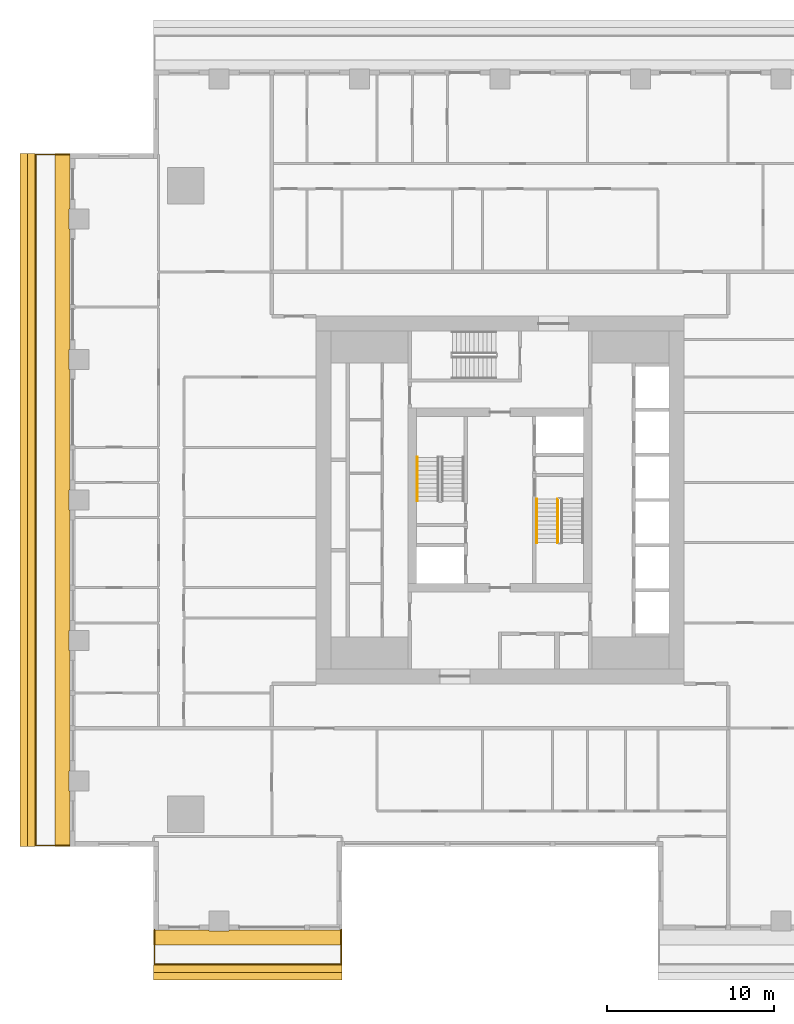
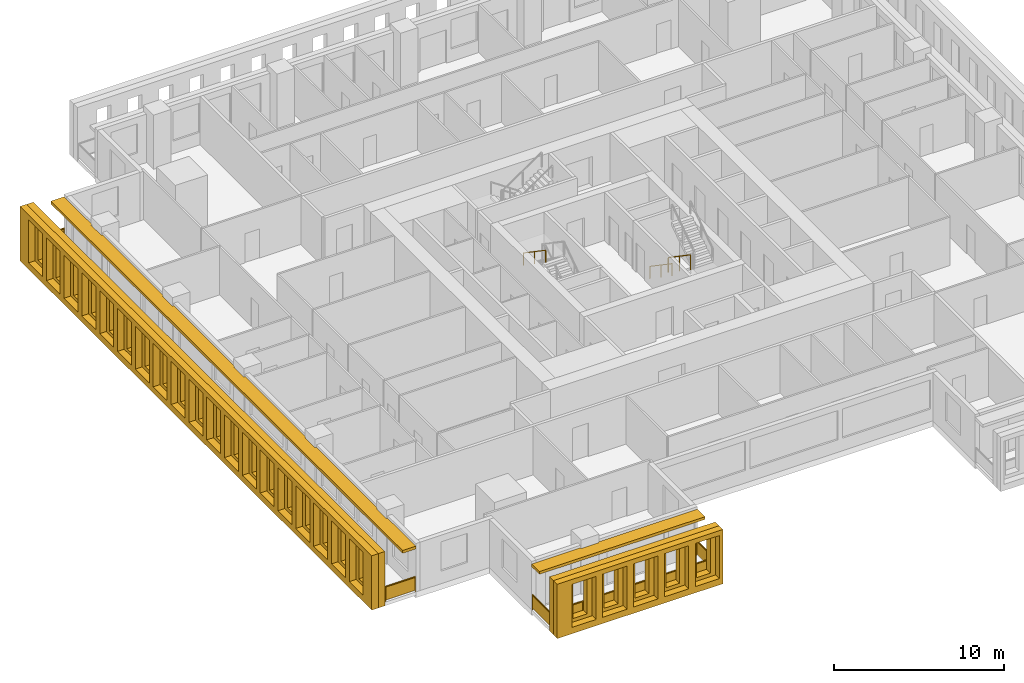
# One storey, part 10 of 14: 6 shading devices, 5 railings.
"""IFC4 building model written with IfcOpenShell, lengths in metres."""

from ifc_helpers import new_model, si_unit, direction, frame, origin, origin_2d, place, context, subcontext, project, spatial, polyline, rectangle, outline, extrude, material, layer, layer_set, type_object, element, save


model = new_model("IFC4")

# Units and contexts
model_context = context("Model", 3, precision=1e-05, world=origin(), true_north=direction((0.0, 1.0)))
body_context = subcontext(model_context, "Body", "Model", "MODEL_VIEW")
ifc_project = project(units=[si_unit("LENGTHUNIT", "METRE"), si_unit("AREAUNIT", "SQUARE_METRE"), si_unit("VOLUMEUNIT", "CUBIC_METRE"), si_unit("PLANEANGLEUNIT", "RADIAN"), si_unit("MASSUNIT", "GRAM", prefix="KILO")], contexts=[model_context])

# Site, building, storey
site_placement = place(None, origin())
site = spatial("IfcSite", under=ifc_project, at=site_placement, CompositionType="ELEMENT")
building_placement = place(site_placement, origin())
building = spatial("IfcBuilding", under=site, at=building_placement, Name="Khepri Terraces", CompositionType="ELEMENT")
storey_placement = place(building_placement, frame((0.0, 0.0, 267.89990234375)))
storey = spatial("IfcBuildingStorey", under=building, at=storey_placement, Name="L64", CompositionType="ELEMENT", Elevation=267.89990234375)

# Railings
ifc_material_1 = material(Name="Stainless steel grade 316", Category="steel")
railing_type_1 = type_object("IfcRailingType", Name="GRD-BAL-1100", PredefinedType="GUARDRAIL", material=ifc_material_1)
railing_1_placement = place(storey_placement, frame((-20.669921875, -25.719970703125, 0.0)))
element("IfcRailing", 1, at=railing_1_placement, inside=storey, type_object=railing_type_1, Name="Balcony guard L64 S", PredefinedType="GUARDRAIL", context=body_context, shape_type="SweptSolid", body=[
    extrude(rectangle(XDim=0.050048828125, YDim=0.06005859375, at=origin_2d()), frame((0.0, 0.0, 1.070068359375), z_axis=(0.0, -1.0, 0.0), x_axis=(1.0, 0.0, 0.0)), (0.0, 0.0, 1.0), 2.050048828125),
    extrude(rectangle(XDim=2.0, YDim=0.011962890625, at=origin_2d()), frame((0.0, -1.02490234375, 0.10009765625), z_axis=(0.0, 0.0, 1.0), x_axis=(0.0, -1.0, 0.0)), (0.0, 0.0, 1.0), 0.93994140625),
    extrude(rectangle(XDim=0.050048828125, YDim=0.06005859375, at=origin_2d()), frame((0.0, -2.050048828125, 1.070068359375), z_axis=(1.0, 0.0, 0.0), x_axis=(0.0, 1.0, 0.0)), (0.0, 0.0, 1.0), 11.169921875),
    extrude(rectangle(XDim=2.183837890625, YDim=0.011962890625, at=origin_2d()), frame((1.116943359375, -2.050048828125, 0.10009765625), z_axis=(0.0, 0.0, 1.0), x_axis=(1.0, 0.0, 0.0)), (0.0, 0.0, 1.0), 0.93994140625),
    extrude(rectangle(XDim=2.183837890625, YDim=0.011962890625, at=origin_2d()), frame((3.35107421875, -2.050048828125, 0.10009765625), z_axis=(0.0, 0.0, 1.0), x_axis=(1.0, 0.0, 0.0)), (0.0, 0.0, 1.0), 0.93994140625),
    extrude(rectangle(XDim=2.183837890625, YDim=0.011962890625, at=origin_2d()), frame((5.5849609375, -2.050048828125, 0.10009765625), z_axis=(0.0, 0.0, 1.0), x_axis=(1.0, 0.0, 0.0)), (0.0, 0.0, 1.0), 0.93994140625),
    extrude(rectangle(XDim=2.183837890625, YDim=0.011962890625, at=origin_2d()), frame((7.81884765625, -2.050048828125, 0.10009765625), z_axis=(0.0, 0.0, 1.0), x_axis=(1.0, 0.0, 0.0)), (0.0, 0.0, 1.0), 0.93994140625),
    extrude(rectangle(XDim=2.183837890625, YDim=0.011962890625, at=origin_2d()), frame((10.052978515625, -2.050048828125, 0.10009765625), z_axis=(0.0, 0.0, 1.0), x_axis=(1.0, 0.0, 0.0)), (0.0, 0.0, 1.0), 0.93994140625),
    extrude(rectangle(XDim=0.050048828125, YDim=0.06005859375, at=origin_2d()), frame((11.169921875, -2.050048828125, 1.070068359375), z_axis=(0.0, 1.0, 0.0), x_axis=(-1.0, 0.0, 0.0)), (0.0, 0.0, 1.0), 2.050048828125),
    extrude(rectangle(XDim=2.0, YDim=0.011962890625, at=origin_2d()), frame((11.169921875, -1.02490234375, 0.10009765625), z_axis=(0.0, 0.0, 1.0), x_axis=(0.0, 1.0, 0.0)), (0.0, 0.0, 1.0), 0.93994140625),
    extrude(rectangle(XDim=0.050048828125, YDim=0.050048828125, at=origin_2d()), origin(), (0.0, 0.0, 1.0), 1.0400390625),
    extrude(rectangle(XDim=0.050048828125, YDim=0.050048828125, at=origin_2d()), frame((0.0, -2.050048828125, 0.0)), (0.0, 0.0, 1.0), 1.0400390625),
    extrude(rectangle(XDim=0.050048828125, YDim=0.050048828125, at=origin_2d()), frame((2.23388671875, -2.050048828125, 0.0)), (0.0, 0.0, 1.0), 1.0400390625),
    extrude(rectangle(XDim=0.050048828125, YDim=0.050048828125, at=origin_2d()), frame((4.468017578125, -2.050048828125, 0.0)), (0.0, 0.0, 1.0), 1.0400390625),
    extrude(rectangle(XDim=0.050048828125, YDim=0.050048828125, at=origin_2d()), frame((6.701904296875, -2.050048828125, 0.0)), (0.0, 0.0, 1.0), 1.0400390625),
    extrude(rectangle(XDim=0.050048828125, YDim=0.050048828125, at=origin_2d()), frame((8.93603515625, -2.050048828125, 0.0)), (0.0, 0.0, 1.0), 1.0400390625),
    extrude(rectangle(XDim=0.050048828125, YDim=0.050048828125, at=origin_2d()), frame((11.169921875, -2.050048828125, 0.0)), (0.0, 0.0, 1.0), 1.0400390625),
    extrude(rectangle(XDim=0.050048828125, YDim=0.050048828125, at=origin_2d()), frame((11.169921875, 0.0, 0.0)), (0.0, 0.0, 1.0), 1.0400390625),
])
railing_2_placement = place(storey_placement, frame((-25.719970703125, 20.669921875, 0.0)))
element("IfcRailing", 2, at=railing_2_placement, inside=storey, type_object=railing_type_1, Name="Balcony guard L64 W", PredefinedType="GUARDRAIL", context=body_context, shape_type="SweptSolid", body=[
    extrude(rectangle(XDim=0.050048828125, YDim=0.06005859375, at=origin_2d()), frame((0.0, 0.0, 1.070068359375), z_axis=(-1.0, 0.0, 0.0), x_axis=(0.0, -1.0, 0.0)), (0.0, 0.0, 1.0), 2.050048828125),
    extrude(rectangle(XDim=2.0, YDim=0.011962890625, at=origin_2d()), frame((-1.02490234375, 0.0, 0.10009765625), z_axis=(0.0, 0.0, 1.0), x_axis=(-1.0, 0.0, 0.0)), (0.0, 0.0, 1.0), 0.93994140625),
    extrude(rectangle(XDim=0.050048828125, YDim=0.06005859375, at=origin_2d()), frame((-2.050048828125, 0.0, 1.070068359375), z_axis=(0.0, -1.0, 0.0), x_axis=(1.0, 0.0, 0.0)), (0.0, 0.0, 1.0), 41.33984375),
    extrude(rectangle(XDim=2.24658203125, YDim=0.011962890625, at=origin_2d()), frame((-2.050048828125, -1.1484375, 0.10009765625), z_axis=(0.0, 0.0, 1.0), x_axis=(0.0, -1.0, 0.0)), (0.0, 0.0, 1.0), 0.93994140625),
    extrude(rectangle(XDim=2.24658203125, YDim=0.011962890625, at=origin_2d()), frame((-2.050048828125, -3.445068359375, 0.10009765625), z_axis=(0.0, 0.0, 1.0), x_axis=(0.0, -1.0, 0.0)), (0.0, 0.0, 1.0), 0.93994140625),
    extrude(rectangle(XDim=2.24658203125, YDim=0.011962890625, at=origin_2d()), frame((-2.050048828125, -5.74169921875, 0.10009765625), z_axis=(0.0, 0.0, 1.0), x_axis=(0.0, -1.0, 0.0)), (0.0, 0.0, 1.0), 0.93994140625),
    extrude(rectangle(XDim=2.24658203125, YDim=0.011962890625, at=origin_2d()), frame((-2.050048828125, -8.038330078125, 0.10009765625), z_axis=(0.0, 0.0, 1.0), x_axis=(0.0, -1.0, 0.0)), (0.0, 0.0, 1.0), 0.93994140625),
    extrude(rectangle(XDim=2.24658203125, YDim=0.011962890625, at=origin_2d()), frame((-2.050048828125, -10.3349609375, 0.10009765625), z_axis=(0.0, 0.0, 1.0), x_axis=(0.0, -1.0, 0.0)), (0.0, 0.0, 1.0), 0.93994140625),
    extrude(rectangle(XDim=2.24658203125, YDim=0.011962890625, at=origin_2d()), frame((-2.050048828125, -12.631591796875, 0.10009765625), z_axis=(0.0, 0.0, 1.0), x_axis=(0.0, -1.0, 0.0)), (0.0, 0.0, 1.0), 0.93994140625),
    extrude(rectangle(XDim=2.24658203125, YDim=0.011962890625, at=origin_2d()), frame((-2.050048828125, -14.92822265625, 0.10009765625), z_axis=(0.0, 0.0, 1.0), x_axis=(0.0, -1.0, 0.0)), (0.0, 0.0, 1.0), 0.93994140625),
    extrude(rectangle(XDim=2.24658203125, YDim=0.011962890625, at=origin_2d()), frame((-2.050048828125, -17.224853515625, 0.10009765625), z_axis=(0.0, 0.0, 1.0), x_axis=(0.0, -1.0, 0.0)), (0.0, 0.0, 1.0), 0.93994140625),
    extrude(rectangle(XDim=2.24658203125, YDim=0.011962890625, at=origin_2d()), frame((-2.050048828125, -19.521484375, 0.10009765625), z_axis=(0.0, 0.0, 1.0), x_axis=(0.0, -1.0, 0.0)), (0.0, 0.0, 1.0), 0.93994140625),
    extrude(rectangle(XDim=2.24658203125, YDim=0.011962890625, at=origin_2d()), frame((-2.050048828125, -21.818359375, 0.10009765625), z_axis=(0.0, 0.0, 1.0), x_axis=(0.0, -1.0, 0.0)), (0.0, 0.0, 1.0), 0.93994140625),
    extrude(rectangle(XDim=2.24658203125, YDim=0.011962890625, at=origin_2d()), frame((-2.050048828125, -24.114990234375, 0.10009765625), z_axis=(0.0, 0.0, 1.0), x_axis=(0.0, -1.0, 0.0)), (0.0, 0.0, 1.0), 0.93994140625),
    extrude(rectangle(XDim=2.24658203125, YDim=0.011962890625, at=origin_2d()), frame((-2.050048828125, -26.41162109375, 0.10009765625), z_axis=(0.0, 0.0, 1.0), x_axis=(0.0, -1.0, 0.0)), (0.0, 0.0, 1.0), 0.93994140625),
    extrude(rectangle(XDim=2.24658203125, YDim=0.011962890625, at=origin_2d()), frame((-2.050048828125, -28.708251953125, 0.10009765625), z_axis=(0.0, 0.0, 1.0), x_axis=(0.0, -1.0, 0.0)), (0.0, 0.0, 1.0), 0.93994140625),
    extrude(rectangle(XDim=2.24658203125, YDim=0.011962890625, at=origin_2d()), frame((-2.050048828125, -31.0048828125, 0.10009765625), z_axis=(0.0, 0.0, 1.0), x_axis=(0.0, -1.0, 0.0)), (0.0, 0.0, 1.0), 0.93994140625),
    extrude(rectangle(XDim=2.24658203125, YDim=0.011962890625, at=origin_2d()), frame((-2.050048828125, -33.301513671875, 0.10009765625), z_axis=(0.0, 0.0, 1.0), x_axis=(0.0, -1.0, 0.0)), (0.0, 0.0, 1.0), 0.93994140625),
    extrude(rectangle(XDim=2.24658203125, YDim=0.011962890625, at=origin_2d()), frame((-2.050048828125, -35.59814453125, 0.10009765625), z_axis=(0.0, 0.0, 1.0), x_axis=(0.0, -1.0, 0.0)), (0.0, 0.0, 1.0), 0.93994140625),
    extrude(rectangle(XDim=2.24658203125, YDim=0.011962890625, at=origin_2d()), frame((-2.050048828125, -37.894775390625, 0.10009765625), z_axis=(0.0, 0.0, 1.0), x_axis=(0.0, -1.0, 0.0)), (0.0, 0.0, 1.0), 0.93994140625),
    extrude(rectangle(XDim=2.24658203125, YDim=0.011962890625, at=origin_2d()), frame((-2.050048828125, -40.19140625, 0.10009765625), z_axis=(0.0, 0.0, 1.0), x_axis=(0.0, -1.0, 0.0)), (0.0, 0.0, 1.0), 0.93994140625),
    extrude(rectangle(XDim=0.050048828125, YDim=0.06005859375, at=origin_2d()), frame((-2.050048828125, -41.33984375, 1.070068359375), z_axis=(1.0, 0.0, 0.0), x_axis=(0.0, 1.0, 0.0)), (0.0, 0.0, 1.0), 2.050048828125),
    extrude(rectangle(XDim=2.0, YDim=0.011962890625, at=origin_2d()), frame((-1.02490234375, -41.33984375, 0.10009765625), z_axis=(0.0, 0.0, 1.0), x_axis=(1.0, 0.0, 0.0)), (0.0, 0.0, 1.0), 0.93994140625),
    extrude(rectangle(XDim=0.050048828125, YDim=0.050048828125, at=origin_2d()), origin(), (0.0, 0.0, 1.0), 1.0400390625),
    extrude(rectangle(XDim=0.050048828125, YDim=0.050048828125, at=origin_2d()), frame((-2.050048828125, 0.0, 0.0)), (0.0, 0.0, 1.0), 1.0400390625),
    extrude(rectangle(XDim=0.050048828125, YDim=0.050048828125, at=origin_2d()), frame((-2.050048828125, -2.296630859375, 0.0)), (0.0, 0.0, 1.0), 1.0400390625),
    extrude(rectangle(XDim=0.050048828125, YDim=0.050048828125, at=origin_2d()), frame((-2.050048828125, -4.59326171875, 0.0)), (0.0, 0.0, 1.0), 1.0400390625),
    extrude(rectangle(XDim=0.050048828125, YDim=0.050048828125, at=origin_2d()), frame((-2.050048828125, -6.889892578125, 0.0)), (0.0, 0.0, 1.0), 1.0400390625),
    extrude(rectangle(XDim=0.050048828125, YDim=0.050048828125, at=origin_2d()), frame((-2.050048828125, -9.1865234375, 0.0)), (0.0, 0.0, 1.0), 1.0400390625),
    extrude(rectangle(XDim=0.050048828125, YDim=0.050048828125, at=origin_2d()), frame((-2.050048828125, -11.4833984375, 0.0)), (0.0, 0.0, 1.0), 1.0400390625),
    extrude(rectangle(XDim=0.050048828125, YDim=0.050048828125, at=origin_2d()), frame((-2.050048828125, -13.780029296875, 0.0)), (0.0, 0.0, 1.0), 1.0400390625),
    extrude(rectangle(XDim=0.050048828125, YDim=0.050048828125, at=origin_2d()), frame((-2.050048828125, -16.07666015625, 0.0)), (0.0, 0.0, 1.0), 1.0400390625),
    extrude(rectangle(XDim=0.050048828125, YDim=0.050048828125, at=origin_2d()), frame((-2.050048828125, -18.373291015625, 0.0)), (0.0, 0.0, 1.0), 1.0400390625),
    extrude(rectangle(XDim=0.050048828125, YDim=0.050048828125, at=origin_2d()), frame((-2.050048828125, -20.669921875, 0.0)), (0.0, 0.0, 1.0), 1.0400390625),
    extrude(rectangle(XDim=0.050048828125, YDim=0.050048828125, at=origin_2d()), frame((-2.050048828125, -22.966552734375, 0.0)), (0.0, 0.0, 1.0), 1.0400390625),
    extrude(rectangle(XDim=0.050048828125, YDim=0.050048828125, at=origin_2d()), frame((-2.050048828125, -25.26318359375, 0.0)), (0.0, 0.0, 1.0), 1.0400390625),
    extrude(rectangle(XDim=0.050048828125, YDim=0.050048828125, at=origin_2d()), frame((-2.050048828125, -27.559814453125, 0.0)), (0.0, 0.0, 1.0), 1.0400390625),
    extrude(rectangle(XDim=0.050048828125, YDim=0.050048828125, at=origin_2d()), frame((-2.050048828125, -29.8564453125, 0.0)), (0.0, 0.0, 1.0), 1.0400390625),
    extrude(rectangle(XDim=0.050048828125, YDim=0.050048828125, at=origin_2d()), frame((-2.050048828125, -32.1533203125, 0.0)), (0.0, 0.0, 1.0), 1.0400390625),
    extrude(rectangle(XDim=0.050048828125, YDim=0.050048828125, at=origin_2d()), frame((-2.050048828125, -34.449951171875, 0.0)), (0.0, 0.0, 1.0), 1.0400390625),
    extrude(rectangle(XDim=0.050048828125, YDim=0.050048828125, at=origin_2d()), frame((-2.050048828125, -36.74658203125, 0.0)), (0.0, 0.0, 1.0), 1.0400390625),
    extrude(rectangle(XDim=0.050048828125, YDim=0.050048828125, at=origin_2d()), frame((-2.050048828125, -39.043212890625, 0.0)), (0.0, 0.0, 1.0), 1.0400390625),
    extrude(rectangle(XDim=0.050048828125, YDim=0.050048828125, at=origin_2d()), frame((-2.050048828125, -41.33984375, 0.0)), (0.0, 0.0, 1.0), 1.0400390625),
    extrude(rectangle(XDim=0.050048828125, YDim=0.050048828125, at=origin_2d()), frame((0.0, -41.33984375, 0.0)), (0.0, 0.0, 1.0), 1.0400390625),
])
ifc_material_2 = material(Name="Stainless steel 316", Category="steel")
railing_type_2 = type_object("IfcRailingType", Name="RL-CORE-GUARD", PredefinedType="GUARDRAIL", material=ifc_material_2)
railing_3_placement = place(storey_placement, frame((3.449951171875, 0.050048828125, 0.177490234375)))
element("IfcRailing", 3, at=railing_3_placement, inside=storey, type_object=railing_type_2, Name="L64 ST-2 stair guard 1", PredefinedType="GUARDRAIL", context=body_context, shape_type="SweptSolid", body=[
    extrude(rectangle(XDim=0.050048828125, YDim=0.06005859375, at=origin_2d()), frame((0.0, 0.0, 1.070068359375), z_axis=(0.0, -0.826240473404, 0.563317565952), x_axis=(1.0, 0.0, 0.0)), (0.0, 0.0, 1.0), 3.14697265625),
    extrude(rectangle(XDim=0.050048828125, YDim=0.050048828125, at=origin_2d()), origin(), (0.0, 0.0, 1.0), 1.0400390625),
    extrude(rectangle(XDim=0.050048828125, YDim=0.050048828125, at=origin_2d()), frame((0.0, -1.300048828125, 0.88623046875)), (0.0, 0.0, 1.0), 1.0400390625),
    extrude(rectangle(XDim=0.050048828125, YDim=0.050048828125, at=origin_2d()), frame((0.0, -2.60009765625, 1.772705078125)), (0.0, 0.0, 1.0), 1.0400390625),
])
railing_type_3 = type_object("IfcRailingType", Name="RL-CORE-HANDRAIL", PredefinedType="HANDRAIL", material=ifc_material_2)
for number, where, name in (
    (4, (-4.949951171875, 2.550048828125, 2.12744140625), "L64 ST-1 stair handrail 2"),
    (5, (2.199951171875, 0.050048828125, 0.177490234375), "L64 ST-2 stair handrail 1"),
):
    element("IfcRailing", number, at=place(storey_placement, frame(where)), inside=storey, type_object=railing_type_3, Name=name, PredefinedType="HANDRAIL", context=body_context, shape_type="SweptSolid", body=[
        extrude(rectangle(XDim=0.050048828125, YDim=0.050048828125, at=origin_2d()), frame((0.0, 0.0, 0.875), z_axis=(0.0, -0.826240473404, 0.563317565952), x_axis=(1.0, 0.0, 0.0)), (0.0, 0.0, 1.0), 3.14697265625),
        extrude(rectangle(XDim=0.050048828125, YDim=0.050048828125, at=origin_2d()), origin(), (0.0, 0.0, 1.0), 0.849853515625),
        extrude(rectangle(XDim=0.050048828125, YDim=0.050048828125, at=origin_2d()), frame((0.0, -1.300048828125, 0.88623046875)), (0.0, 0.0, 1.0), 0.849853515625),
        extrude(rectangle(XDim=0.050048828125, YDim=0.050048828125, at=origin_2d()), frame((0.0, -2.60009765625, 1.772705078125)), (0.0, 0.0, 1.0), 0.849853515625),
    ])

# Shading devices
ifc_material_3 = material(Name="Precast concrete C50/60 warm stone", Category="masonry")
shading_device_type_1 = type_object("IfcShadingDeviceType", Name="SCR-CELL-INNER-450", PredefinedType="USERDEFINED", material=ifc_material_3)
shading_device_1_placement = place(storey_placement, frame((-20.719970703125, -27.820068359375, -0.25), z_axis=(0.0, -1.0, 0.0), x_axis=(1.0, 0.0, 0.0)))
element("IfcShadingDevice", 6, at=shading_device_1_placement, inside=storey, type_object=shading_device_type_1, Name="Cell screen L64 S in", ObjectType="SCREEN", PredefinedType="USERDEFINED", context=body_context, shape_type="SweptSolid", body=[
    extrude(outline(polyline([(0.0, 0.0), (11.27001953125, 0.0), (11.27001953125, 3.89990234375), (0.0, 3.89990234375), (0.0, 0.0)]), holes=[polyline([(1.347412109375, 0.699951171875), (2.29248046875, 0.699951171875), (2.29248046875, 3.300048828125), (1.347412109375, 3.300048828125), (1.347412109375, 0.699951171875)]), polyline([(3.447509765625, 0.699951171875), (4.392578125, 0.699951171875), (4.392578125, 3.300048828125), (3.447509765625, 3.300048828125), (3.447509765625, 0.699951171875)]), polyline([(5.547607421875, 0.699951171875), (6.492431640625, 0.699951171875), (6.492431640625, 3.300048828125), (5.547607421875, 3.300048828125), (5.547607421875, 0.699951171875)]), polyline([(7.6474609375, 0.699951171875), (8.592529296875, 0.699951171875), (8.592529296875, 3.300048828125), (7.6474609375, 3.300048828125), (7.6474609375, 0.699951171875)]), polyline([(9.74755859375, 0.699951171875), (10.6923828125, 0.699951171875), (10.6923828125, 3.300048828125), (9.74755859375, 3.300048828125), (9.74755859375, 0.699951171875)])]), origin(), (0.0, 0.0, 1.0), 0.449951171875),
])
shading_device_2_placement = place(storey_placement, frame((-27.820068359375, 20.719970703125, -0.25), z_axis=(-1.0, 0.0, 0.0), x_axis=(0.0, -1.0, 0.0)))
element("IfcShadingDevice", 7, at=shading_device_2_placement, inside=storey, type_object=shading_device_type_1, Name="Cell screen L64 W in", ObjectType="SCREEN", PredefinedType="USERDEFINED", context=body_context, shape_type="SweptSolid", body=[
    extrude(outline(polyline([(0.0, 0.0), (41.43994140625, 0.0), (41.43994140625, 3.89990234375), (0.0, 3.89990234375), (0.0, 0.0)]), holes=[polyline([(1.347412109375, 0.699951171875), (2.29248046875, 0.699951171875), (2.29248046875, 3.300048828125), (1.347412109375, 3.300048828125), (1.347412109375, 0.699951171875)]), polyline([(3.447509765625, 0.699951171875), (4.392578125, 0.699951171875), (4.392578125, 3.300048828125), (3.447509765625, 3.300048828125), (3.447509765625, 0.699951171875)]), polyline([(5.547607421875, 0.699951171875), (6.492431640625, 0.699951171875), (6.492431640625, 3.300048828125), (5.547607421875, 3.300048828125), (5.547607421875, 0.699951171875)]), polyline([(7.6474609375, 0.699951171875), (8.592529296875, 0.699951171875), (8.592529296875, 3.300048828125), (7.6474609375, 3.300048828125), (7.6474609375, 0.699951171875)]), polyline([(9.74755859375, 0.699951171875), (10.6923828125, 0.699951171875), (10.6923828125, 3.300048828125), (9.74755859375, 3.300048828125), (9.74755859375, 0.699951171875)]), polyline([(11.847412109375, 0.699951171875), (12.79248046875, 0.699951171875), (12.79248046875, 3.300048828125), (11.847412109375, 3.300048828125), (11.847412109375, 0.699951171875)]), polyline([(13.947509765625, 0.699951171875), (14.892578125, 0.699951171875), (14.892578125, 3.300048828125), (13.947509765625, 3.300048828125), (13.947509765625, 0.699951171875)]), polyline([(16.047607421875, 0.699951171875), (16.992431640625, 0.699951171875), (16.992431640625, 3.300048828125), (16.047607421875, 3.300048828125), (16.047607421875, 0.699951171875)]), polyline([(18.1474609375, 0.699951171875), (19.092529296875, 0.699951171875), (19.092529296875, 3.300048828125), (18.1474609375, 3.300048828125), (18.1474609375, 0.699951171875)]), polyline([(20.24755859375, 0.699951171875), (21.1923828125, 0.699951171875), (21.1923828125, 3.300048828125), (20.24755859375, 3.300048828125), (20.24755859375, 0.699951171875)]), polyline([(22.347412109375, 0.699951171875), (23.29248046875, 0.699951171875), (23.29248046875, 3.300048828125), (22.347412109375, 3.300048828125), (22.347412109375, 0.699951171875)]), polyline([(24.447509765625, 0.699951171875), (25.392578125, 0.699951171875), (25.392578125, 3.300048828125), (24.447509765625, 3.300048828125), (24.447509765625, 0.699951171875)]), polyline([(26.547607421875, 0.699951171875), (27.492431640625, 0.699951171875), (27.492431640625, 3.300048828125), (26.547607421875, 3.300048828125), (26.547607421875, 0.699951171875)]), polyline([(28.6474609375, 0.699951171875), (29.592529296875, 0.699951171875), (29.592529296875, 3.300048828125), (28.6474609375, 3.300048828125), (28.6474609375, 0.699951171875)]), polyline([(30.74755859375, 0.699951171875), (31.6923828125, 0.699951171875), (31.6923828125, 3.300048828125), (30.74755859375, 3.300048828125), (30.74755859375, 0.699951171875)]), polyline([(32.847412109375, 0.699951171875), (33.79248046875, 0.699951171875), (33.79248046875, 3.300048828125), (32.847412109375, 3.300048828125), (32.847412109375, 0.699951171875)]), polyline([(34.947509765625, 0.699951171875), (35.892578125, 0.699951171875), (35.892578125, 3.300048828125), (34.947509765625, 3.300048828125), (34.947509765625, 0.699951171875)]), polyline([(37.047607421875, 0.699951171875), (37.992431640625, 0.699951171875), (37.992431640625, 3.300048828125), (37.047607421875, 3.300048828125), (37.047607421875, 0.699951171875)]), polyline([(39.1474609375, 0.699951171875), (40.092529296875, 0.699951171875), (40.092529296875, 3.300048828125), (39.1474609375, 3.300048828125), (39.1474609375, 0.699951171875)])]), origin(), (0.0, 0.0, 1.0), 0.449951171875),
])
shading_device_type_2 = type_object("IfcShadingDeviceType", Name="SCR-CELL-OUTER-450", PredefinedType="USERDEFINED", material=ifc_material_3)
shading_device_3_placement = place(storey_placement, frame((-20.719970703125, -28.27001953125, -0.25), z_axis=(0.0, -1.0, 0.0), x_axis=(1.0, 0.0, 0.0)))
element("IfcShadingDevice", 8, at=shading_device_3_placement, inside=storey, type_object=shading_device_type_2, Name="Cell screen L64 S out", ObjectType="SCREEN", PredefinedType="USERDEFINED", context=body_context, shape_type="SweptSolid", body=[
    extrude(outline(polyline([(0.0, 0.0), (11.27001953125, 0.0), (11.27001953125, 3.89990234375), (0.0, 3.89990234375), (0.0, 0.0)]), holes=[polyline([(0.99755859375, 0.449951171875), (2.642578125, 0.449951171875), (2.642578125, 3.550048828125), (0.99755859375, 3.550048828125), (0.99755859375, 0.449951171875)]), polyline([(3.097412109375, 0.449951171875), (4.742431640625, 0.449951171875), (4.742431640625, 3.550048828125), (3.097412109375, 3.550048828125), (3.097412109375, 0.449951171875)]), polyline([(5.197509765625, 0.449951171875), (6.842529296875, 0.449951171875), (6.842529296875, 3.550048828125), (5.197509765625, 3.550048828125), (5.197509765625, 0.449951171875)]), polyline([(7.297607421875, 0.449951171875), (8.9423828125, 0.449951171875), (8.9423828125, 3.550048828125), (7.297607421875, 3.550048828125), (7.297607421875, 0.449951171875)]), polyline([(9.3974609375, 0.449951171875), (11.04248046875, 0.449951171875), (11.04248046875, 3.550048828125), (9.3974609375, 3.550048828125), (9.3974609375, 0.449951171875)])]), origin(), (0.0, 0.0, 1.0), 0.449951171875),
])
shading_device_4_placement = place(storey_placement, frame((-28.27001953125, 20.719970703125, -0.25), z_axis=(-1.0, 0.0, 0.0), x_axis=(0.0, -1.0, 0.0)))
element("IfcShadingDevice", 9, at=shading_device_4_placement, inside=storey, type_object=shading_device_type_2, Name="Cell screen L64 W out", ObjectType="SCREEN", PredefinedType="USERDEFINED", context=body_context, shape_type="SweptSolid", body=[
    extrude(outline(polyline([(0.0, 0.0), (41.43994140625, 0.0), (41.43994140625, 3.89990234375), (0.0, 3.89990234375), (0.0, 0.0)]), holes=[polyline([(0.99755859375, 0.449951171875), (2.642578125, 0.449951171875), (2.642578125, 3.550048828125), (0.99755859375, 3.550048828125), (0.99755859375, 0.449951171875)]), polyline([(3.097412109375, 0.449951171875), (4.742431640625, 0.449951171875), (4.742431640625, 3.550048828125), (3.097412109375, 3.550048828125), (3.097412109375, 0.449951171875)]), polyline([(5.197509765625, 0.449951171875), (6.842529296875, 0.449951171875), (6.842529296875, 3.550048828125), (5.197509765625, 3.550048828125), (5.197509765625, 0.449951171875)]), polyline([(7.297607421875, 0.449951171875), (8.9423828125, 0.449951171875), (8.9423828125, 3.550048828125), (7.297607421875, 3.550048828125), (7.297607421875, 0.449951171875)]), polyline([(9.3974609375, 0.449951171875), (11.04248046875, 0.449951171875), (11.04248046875, 3.550048828125), (9.3974609375, 3.550048828125), (9.3974609375, 0.449951171875)]), polyline([(11.49755859375, 0.449951171875), (13.142578125, 0.449951171875), (13.142578125, 3.550048828125), (11.49755859375, 3.550048828125), (11.49755859375, 0.449951171875)]), polyline([(13.597412109375, 0.449951171875), (15.242431640625, 0.449951171875), (15.242431640625, 3.550048828125), (13.597412109375, 3.550048828125), (13.597412109375, 0.449951171875)]), polyline([(15.697509765625, 0.449951171875), (17.342529296875, 0.449951171875), (17.342529296875, 3.550048828125), (15.697509765625, 3.550048828125), (15.697509765625, 0.449951171875)]), polyline([(17.797607421875, 0.449951171875), (19.4423828125, 0.449951171875), (19.4423828125, 3.550048828125), (17.797607421875, 3.550048828125), (17.797607421875, 0.449951171875)]), polyline([(19.8974609375, 0.449951171875), (21.54248046875, 0.449951171875), (21.54248046875, 3.550048828125), (19.8974609375, 3.550048828125), (19.8974609375, 0.449951171875)]), polyline([(21.99755859375, 0.449951171875), (23.642578125, 0.449951171875), (23.642578125, 3.550048828125), (21.99755859375, 3.550048828125), (21.99755859375, 0.449951171875)]), polyline([(24.097412109375, 0.449951171875), (25.742431640625, 0.449951171875), (25.742431640625, 3.550048828125), (24.097412109375, 3.550048828125), (24.097412109375, 0.449951171875)]), polyline([(26.197509765625, 0.449951171875), (27.842529296875, 0.449951171875), (27.842529296875, 3.550048828125), (26.197509765625, 3.550048828125), (26.197509765625, 0.449951171875)]), polyline([(28.297607421875, 0.449951171875), (29.9423828125, 0.449951171875), (29.9423828125, 3.550048828125), (28.297607421875, 3.550048828125), (28.297607421875, 0.449951171875)]), polyline([(30.3974609375, 0.449951171875), (32.04248046875, 0.449951171875), (32.04248046875, 3.550048828125), (30.3974609375, 3.550048828125), (30.3974609375, 0.449951171875)]), polyline([(32.49755859375, 0.449951171875), (34.142578125, 0.449951171875), (34.142578125, 3.550048828125), (32.49755859375, 3.550048828125), (32.49755859375, 0.449951171875)]), polyline([(34.597412109375, 0.449951171875), (36.242431640625, 0.449951171875), (36.242431640625, 3.550048828125), (34.597412109375, 3.550048828125), (34.597412109375, 0.449951171875)]), polyline([(36.697509765625, 0.449951171875), (38.342529296875, 0.449951171875), (38.342529296875, 3.550048828125), (36.697509765625, 3.550048828125), (36.697509765625, 0.449951171875)]), polyline([(38.797607421875, 0.449951171875), (40.4423828125, 0.449951171875), (40.4423828125, 3.550048828125), (38.797607421875, 3.550048828125), (38.797607421875, 0.449951171875)])]), origin(), (0.0, 0.0, 1.0), 0.449951171875),
])
ifc_layer = layer(ifc_material_3, 0.199951171875, Name="Precast concrete C50/60 warm stone", Category="masonry")
ifc_layer_set = layer_set([ifc_layer], Name="Precast concrete C50/60 warm stone")
shading_device_type_3 = type_object("IfcShadingDeviceType", Name="SSH-BAND-STONE-200", PredefinedType="USERDEFINED", material=ifc_layer_set)
shading_device_5_placement = place(storey_placement, frame((0.0, 0.0, 3.10009765625)))
element("IfcShadingDevice", 10, at=shading_device_5_placement, inside=storey, type_object=shading_device_type_3, Name="Sunshade band L64 S", ObjectType="SUNSHADE", PredefinedType="USERDEFINED", context=body_context, shape_type="SweptSolid", body=[
    extrude(outline(polyline([(-17.39990234375, -25.719970703125), (-20.719970703125, -25.719970703125), (-20.719970703125, -26.6201171875), (-9.449951171875, -26.6201171875), (-9.449951171875, -25.719970703125), (-16.199951171875, -25.719970703125), (-16.199951171875, -25.800048828125), (-17.39990234375, -25.800048828125), (-17.39990234375, -25.719970703125)])), origin(), (0.0, 0.0, 1.0), 0.199951171875),
])
shading_device_6_placement = place(storey_placement, frame((0.0, 0.0, 3.10009765625)))
element("IfcShadingDevice", 11, at=shading_device_6_placement, inside=storey, type_object=shading_device_type_3, Name="Sunshade band L64 W", ObjectType="SUNSHADE", PredefinedType="USERDEFINED", context=body_context, shape_type="SweptSolid", body=[
    extrude(outline(polyline([(-25.719970703125, 17.39990234375), (-25.719970703125, 20.719970703125), (-26.6201171875, 20.719970703125), (-26.6201171875, -20.719970703125), (-25.719970703125, -20.719970703125), (-25.719970703125, -17.39990234375), (-25.800048828125, -17.39990234375), (-25.800048828125, -16.199951171875), (-25.719970703125, -16.199951171875), (-25.719970703125, -9.0), (-25.800048828125, -9.0), (-25.800048828125, -7.800048828125), (-25.719970703125, -7.800048828125), (-25.719970703125, -0.60009765625), (-25.800048828125, -0.60009765625), (-25.800048828125, 0.60009765625), (-25.719970703125, 0.60009765625), (-25.719970703125, 7.800048828125), (-25.800048828125, 7.800048828125), (-25.800048828125, 9.0), (-25.719970703125, 9.0), (-25.719970703125, 16.199951171875), (-25.800048828125, 16.199951171875), (-25.800048828125, 17.39990234375), (-25.719970703125, 17.39990234375)])), origin(), (0.0, 0.0, 1.0), 0.199951171875),
])

save(model, "model.ifc")
